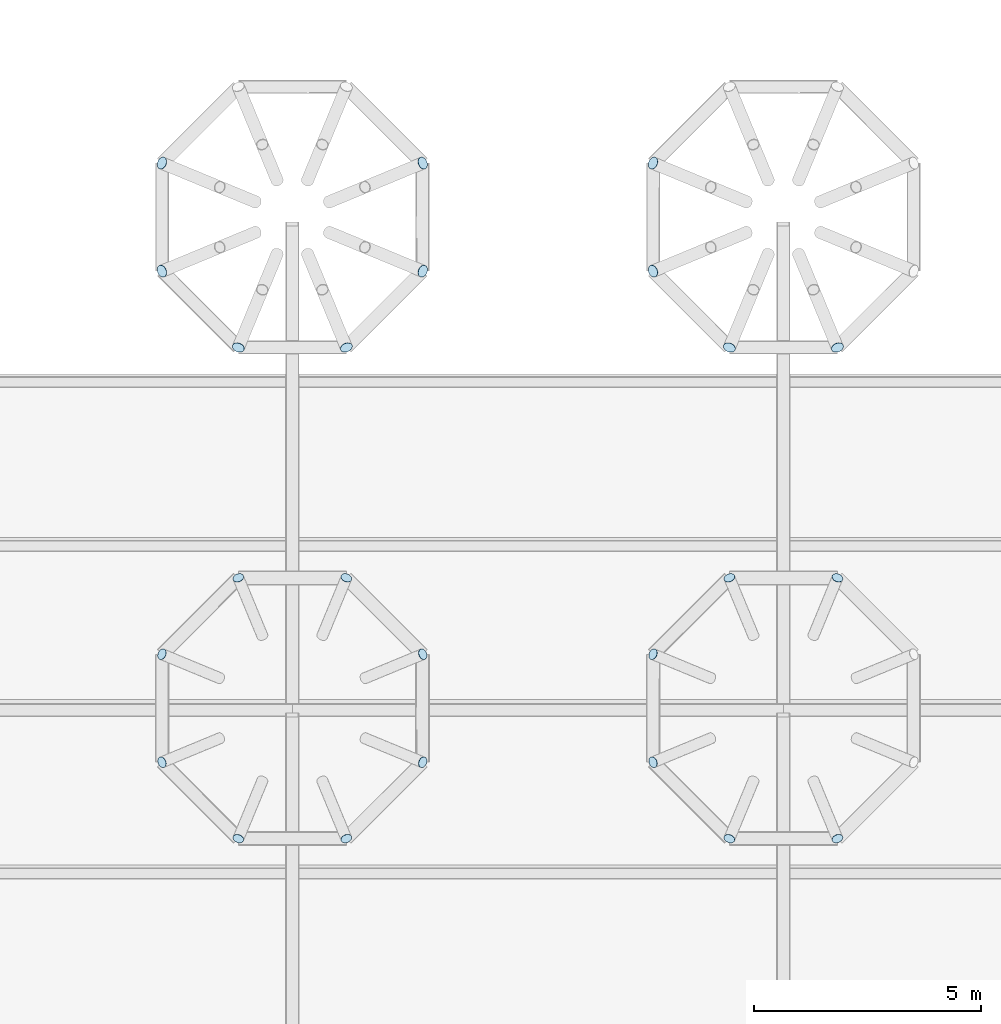
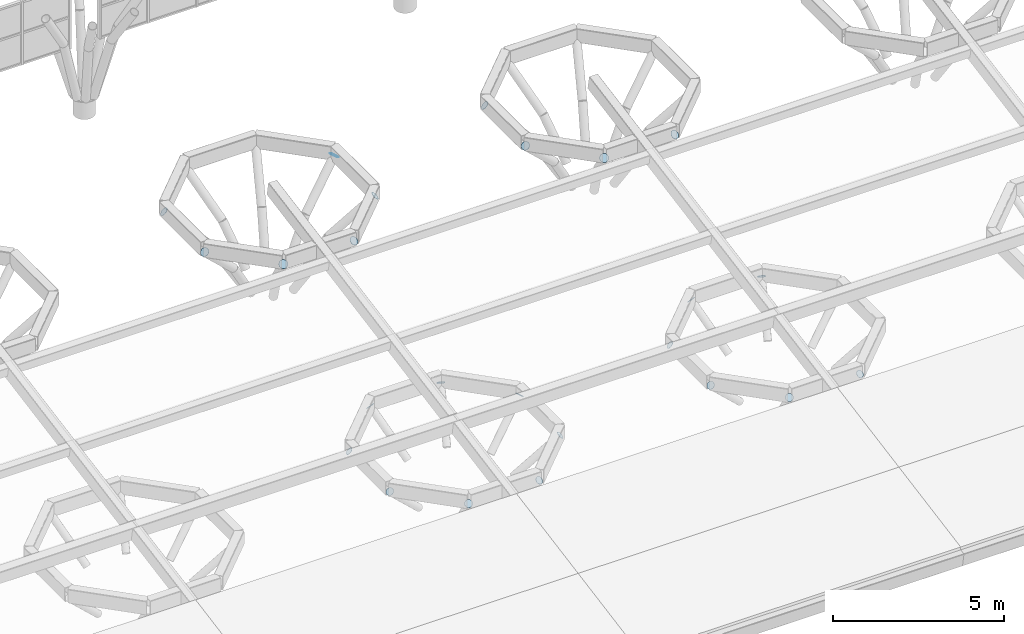
# One storey, part 23 of 42: 24 plates.
"""IFC4 building model written with IfcOpenShell, lengths in metres."""

from ifc_helpers import new_model, si_unit, direction, frame, origin, origin_2d, place, context, subcontext, project, spatial, circle, extrude, material, material_profile, profile_set, type_object, element, save


model = new_model("IFC4")

# Units and contexts
model_context = context("Model", 3, precision=1e-05, world=origin(), true_north=direction((0.0, 1.0)))
body_context = subcontext(model_context, "Body", "Model", "MODEL_VIEW")
ifc_project = project(units=[si_unit("LENGTHUNIT", "METRE"), si_unit("AREAUNIT", "SQUARE_METRE"), si_unit("VOLUMEUNIT", "CUBIC_METRE"), si_unit("PLANEANGLEUNIT", "RADIAN"), si_unit("MASSUNIT", "GRAM", prefix="KILO")], contexts=[model_context])

# Site, building, storey
site_placement = place(None, origin())
site = spatial("IfcSite", under=ifc_project, at=site_placement, CompositionType="ELEMENT")
building_placement = place(site_placement, origin())
building = spatial("IfcBuilding", under=site, at=building_placement, Name="Magnolia Steps Interchange", CompositionType="ELEMENT")
storey_placement = place(building_placement, frame((0.0, 0.0, 12.60009765625)))
storey = spatial("IfcBuildingStorey", under=building, at=storey_placement, Name="L03", CompositionType="ELEMENT", Elevation=12.60009765625)

# Plates
ifc_material_1 = material(Name="Steel Q355B", Category="steel")
ifc_material_profile_1 = material_profile(ifc_material_1, circle(Radius=0.12255859375, at=origin_2d()), Name="End plate CHS245x12")
ifc_profile_set_1 = profile_set([ifc_material_profile_1], Name="Steel Q355B")
plate_type_1 = type_object("IfcPlateType", Name="End plate CHS245x12", PredefinedType="SHEET", material=ifc_profile_set_1)
for number, where, z_axis, x_axis, name in (
    (1, (88.464111328125, 65.186279296875, 1.349853515625), (0.664583318381, 0.275279424158, 0.694658370398), (-0.382683432789, 0.923879532336, 0.0), "End plate Tree rib"),
    (2, (86.786376953125, 66.864013671875, 1.349853515625), (0.275279424158, 0.664583318381, 0.694658370398), (-0.923879532336, 0.382683432789, 0.0), "End plate Tree rib"),
    (3, (84.413818359375, 66.864013671875, 1.349853515625), (-0.275279424158, 0.664583318381, 0.694658370398), (-0.923879532336, -0.382683432789, 0.0), "End plate Tree rib"),
    (4, (82.736083984375, 65.186279296875, 1.349853515625), (-0.664583318381, 0.275279424158, 0.694658370398), (-0.382683432789, -0.923879532336, 0.0), "End plate Tree rib"),
    (5, (82.736083984375, 62.813720703125, 1.349853515625), (-0.664583318381, -0.275279424158, 0.694658370398), (0.382683432789, -0.923879532336, 0.0), "End plate Tree rib"),
    (6, (84.413818359375, 61.135986328125, 1.349853515625), (-0.275279424158, -0.664583318381, 0.694658370398), (0.923879532336, -0.382683432789, 0.0), "End plate Tree rib"),
    (7, (86.786376953125, 61.135986328125, 1.349853515625), (0.275279424158, -0.664583318381, 0.694658370398), (0.923879532336, 0.382683432789, 0.0), "End plate Tree rib"),
    (8, (88.464111328125, 62.813720703125, 1.349853515625), (0.664583318381, -0.275279424158, 0.694658370398), (0.382683432789, 0.923879532336, 0.0), "End plate Tree rib"),
    (9, (97.586181640625, 66.864013671875, 1.349853515625), (0.275279424158, 0.664583318381, 0.694658370398), (-0.923879532336, 0.382683432789, 0.0), "End plate Tree rib"),
    (10, (95.213623046875, 66.864013671875, 1.349853515625), (-0.275279424158, 0.664583318381, 0.694658370398), (-0.923879532336, -0.382683432789, 0.0), "End plate Tree rib"),
    (11, (93.535888671875, 65.186279296875, 1.349853515625), (-0.664583318381, 0.275279424158, 0.694658370398), (-0.382683432789, -0.923879532336, 0.0), "End plate Tree rib"),
    (12, (93.535888671875, 62.813720703125, 1.349853515625), (-0.664583318381, -0.275279424158, 0.694658370398), (0.382683432789, -0.923879532336, 0.0), "End plate Tree rib"),
    (13, (95.213623046875, 61.135986328125, 1.349853515625), (-0.275279424158, -0.664583318381, 0.694658370398), (0.923879532336, -0.382683432789, 0.0), "End plate Tree rib"),
    (14, (97.586181640625, 61.135986328125, 1.349853515625), (0.275279424158, -0.664583318381, 0.694658370398), (0.923879532336, 0.382683432789, 0.0), "End plate Tree rib"),
):
    element("IfcPlate", number, at=place(storey_placement, frame(where, z_axis=z_axis, x_axis=x_axis)), inside=storey, type_object=plate_type_1, Name=name, PredefinedType="SHEET", context=body_context, shape_type="SweptSolid", body=[
        extrude(circle(Radius=0.12255859375, at=origin_2d()), origin(), (0.0, 0.0, 1.0), 0.008056640625),
    ])
ifc_material_2 = material(Name="Steel Q355B", Category="steel")
ifc_material_profile_2 = material_profile(ifc_material_2, circle(Radius=0.136474609375, at=origin_2d()), Name="End plate CHS273x14")
ifc_profile_set_2 = profile_set([ifc_material_profile_2], Name="Steel Q355B")
plate_type_2 = type_object("IfcPlateType", Name="End plate CHS273x14", PredefinedType="SHEET", material=ifc_profile_set_2)
for number, where, z_axis, x_axis, name in (
    (15, (88.464111328125, 75.986328125, 3.325439453125), (0.664583318381, 0.275279424158, 0.694658370398), (-0.382683432789, 0.923879532336, 0.0), "End plate Tree rib"),
    (16, (82.736083984375, 75.986328125, 3.325439453125), (-0.664583318381, 0.275279424158, 0.694658370398), (-0.382683432789, -0.923879532336, 0.0), "End plate Tree rib"),
    (17, (82.736083984375, 73.61376953125, 3.325439453125), (-0.664583318381, -0.275279424158, 0.694658370398), (0.382683432789, -0.923879532336, 0.0), "End plate Tree rib"),
    (18, (84.413818359375, 71.93603515625, 3.325439453125), (-0.275279424158, -0.664583318381, 0.694658370398), (0.923879532336, -0.382683432789, 0.0), "End plate Tree rib"),
    (19, (86.786376953125, 71.93603515625, 3.325439453125), (0.275279424158, -0.664583318381, 0.694658370398), (0.923879532336, 0.382683432789, 0.0), "End plate Tree rib"),
    (20, (88.464111328125, 73.61376953125, 3.325439453125), (0.664583318381, -0.275279424158, 0.694658370398), (0.382683432789, 0.923879532336, 0.0), "End plate Tree rib"),
    (21, (93.535888671875, 75.986328125, 3.325439453125), (-0.664583318381, 0.275279424158, 0.694658370398), (-0.382683432789, -0.923879532336, 0.0), "End plate Tree rib"),
    (22, (93.535888671875, 73.61376953125, 3.325439453125), (-0.664583318381, -0.275279424158, 0.694658370398), (0.382683432789, -0.923879532336, 0.0), "End plate Tree rib"),
    (23, (95.213623046875, 71.93603515625, 3.325439453125), (-0.275279424158, -0.664583318381, 0.694658370398), (0.923879532336, -0.382683432789, 0.0), "End plate Tree rib"),
    (24, (97.586181640625, 71.93603515625, 3.325439453125), (0.275279424158, -0.664583318381, 0.694658370398), (0.923879532336, 0.382683432789, 0.0), "End plate Tree rib"),
):
    element("IfcPlate", number, at=place(storey_placement, frame(where, z_axis=z_axis, x_axis=x_axis)), inside=storey, type_object=plate_type_2, Name=name, PredefinedType="SHEET", context=body_context, shape_type="SweptSolid", body=[
        extrude(circle(Radius=0.136474609375, at=origin_2d()), origin(), (0.0, 0.0, 1.0), 0.008056640625),
    ])

save(model, "model.ifc")
